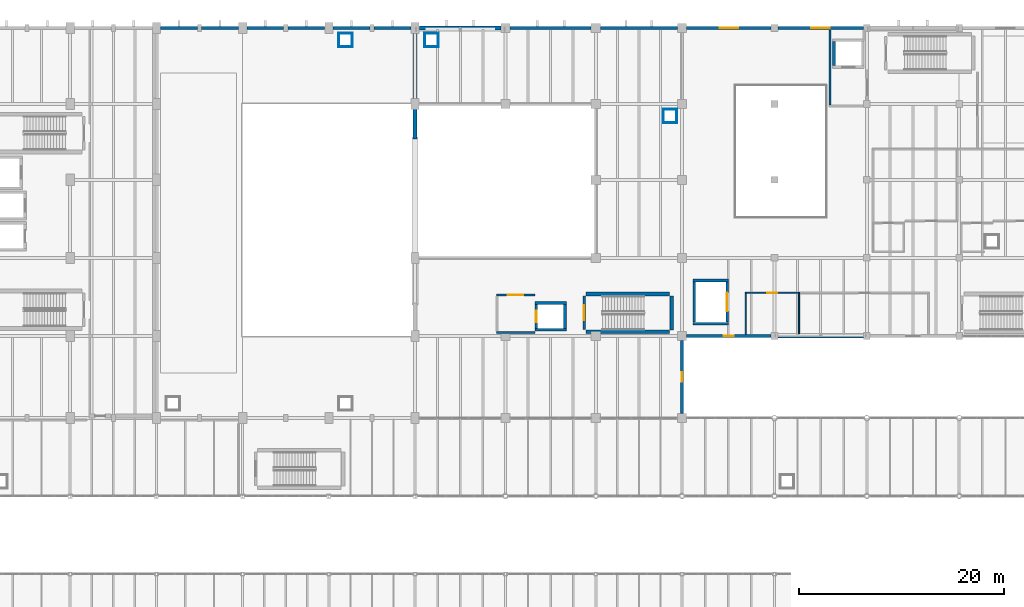
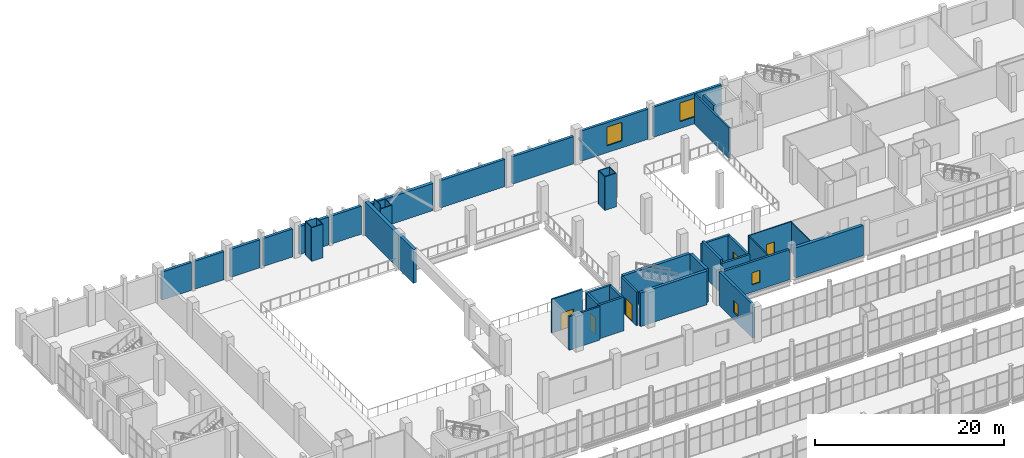
# One storey, part 155 of 172: 46 walls, 5 doors, 4 windows, 9 openings.
"""IFC4 building model written with IfcOpenShell, lengths in metres."""

from ifc_helpers import new_model, si_unit, direction, frame, frame_2d, origin, place, context, subcontext, project, spatial, rectangle, extrude, material, layer, layer_set, type_object, element, fill, save


model = new_model("IFC4")

# Units and contexts
model_context = context("Model", 3, precision=1e-05, world=origin(), true_north=direction((0.0, 1.0)))
body_context = subcontext(model_context, "Body", "Model", "MODEL_VIEW")
ifc_project = project(units=[si_unit("LENGTHUNIT", "METRE"), si_unit("AREAUNIT", "SQUARE_METRE"), si_unit("VOLUMEUNIT", "CUBIC_METRE"), si_unit("PLANEANGLEUNIT", "RADIAN"), si_unit("MASSUNIT", "GRAM", prefix="KILO")], contexts=[model_context])

# Site, building, storey
site_placement = place(None, origin())
site = spatial("IfcSite", under=ifc_project, at=site_placement, CompositionType="ELEMENT")
building_placement = place(site_placement, origin())
building = spatial("IfcBuilding", under=site, at=building_placement, Name="Shengluoqiao Park Theatre", CompositionType="ELEMENT")
storey_placement = place(building_placement, frame((0.0, 0.0, 5.39990234375)))
storey = spatial("IfcBuildingStorey", under=building, at=storey_placement, Name="L01", CompositionType="ELEMENT", Elevation=5.39990234375)

# Wall, opening, window
ifc_material_1 = material(Name="Concrete C40", Category="concrete")
ifc_layer_1 = layer(ifc_material_1, 0.27001953125, Name="Concrete C40")
ifc_layer_set_1 = layer_set([ifc_layer_1], Name="Concrete C40")
wall_type_1 = type_object("IfcWallType", Name="ENV-WL-CONC270", PredefinedType="STANDARD", material=ifc_layer_set_1)
wall_1_placement = place(storey_placement, frame((112.85400390625, 84.0, 0.0), z_axis=(0.0, 0.0, 1.0), x_axis=(1.0, 0.0, 0.0)))
wall_1 = element("IfcWall", 1, at=wall_1_placement, inside=storey, type_object=wall_type_1, Name="L01 Exterior Wall 0192", PredefinedType="STANDARD", context=body_context, shape_type="SweptSolid", body=[
    extrude(rectangle(XDim=8.217041015625, YDim=0.27001953125, at=frame_2d((4.1083984375, 0.0))), origin(), (0.0, 0.0, 1.0), 3.898193359375),
])
opening_1_placement = place(wall_1_placement, frame((3.633544921875, 0.0, 0.949951171875)))
opening_1 = element("IfcOpeningElement", 2, at=opening_1_placement, cuts=wall_1, Name="Opening W-08", PredefinedType="OPENING", context=body_context, shape_type="SweptSolid", body=[
    extrude(rectangle(XDim=0.949951171875, YDim=1.550048828125, at=frame_2d((0.47509765625, 0.77490234375))), frame((0.0, 0.14501953125, 0.0), z_axis=(0.0, -1.0, 0.0), x_axis=(1.0, 0.0, 0.0)), (0.0, 0.0, 1.0), 0.2900390625),
])
ifc_material_2 = material(Name="Insulated glass", Category="glass")
window_type_1 = type_object("IfcWindowType", Name="ENV-WIN-W08", PartitioningType="SINGLE_PANEL", PredefinedType="WINDOW", material=ifc_material_2)
window_1_placement = place(opening_1_placement, origin())
window_1 = element("IfcWindow", 3, at=window_1_placement, inside=storey, type_object=window_type_1, Name="L01 Acoustic Window 0039", OverallHeight=1.550048828125, OverallWidth=0.949951171875, PartitioningType="SINGLE_PANEL", PredefinedType="WINDOW", context=body_context, shape_type="SweptSolid", body=[
    extrude(rectangle(XDim=0.949951171875, YDim=1.550048828125, at=frame_2d((0.47509765625, 0.77490234375))), frame((0.0, 0.030029296875, 0.0), z_axis=(0.0, -1.0, 0.0), x_axis=(1.0, 0.0, 0.0)), (0.0, 0.0, 1.0), 0.06005859375),
])
fill(opening_1, window_1)

ifc_layer_2 = layer(ifc_material_1, 0.31005859375, Name="Concrete C40")
ifc_layer_set_2 = layer_set([ifc_layer_2], Name="Concrete C40")
wall_type_2 = type_object("IfcWallType", Name="ENV-WL-CONC310", PredefinedType="STANDARD", material=ifc_layer_set_2)
wall_2_placement = place(storey_placement, frame((112.85400390625, 114.0, 0.0), z_axis=(0.0, 0.0, 1.0), x_axis=(1.0, 0.0, 0.0)))
wall_2 = element("IfcWall", 4, at=wall_2_placement, inside=storey, type_object=wall_type_2, Name="L01 Exterior Wall 0186", PredefinedType="STANDARD", context=body_context, shape_type="SweptSolid", body=[
    extrude(rectangle(XDim=8.217041015625, YDim=0.31005859375, at=frame_2d((4.1083984375, 0.0))), origin(), (0.0, 0.0, 1.0), 3.898193359375),
])
opening_2_placement = place(wall_2_placement, frame((3.20849609375, 0.0, 0.89990234375)))
opening_2 = element("IfcOpeningElement", 5, at=opening_2_placement, cuts=wall_2, Name="Opening W-01", PredefinedType="OPENING", context=body_context, shape_type="SweptSolid", body=[
    extrude(rectangle(XDim=1.800048828125, YDim=2.39990234375, at=frame_2d((0.89990234375, 1.199951171875))), frame((0.0, 0.1650390625, 0.0), z_axis=(0.0, -1.0, 0.0), x_axis=(1.0, 0.0, 0.0)), (0.0, 0.0, 1.0), 0.330078125),
])
window_type_2 = type_object("IfcWindowType", Name="ENV-WIN-W01", PartitioningType="DOUBLE_PANEL_VERTICAL", PredefinedType="WINDOW", material=ifc_material_2)
window_2_placement = place(opening_2_placement, origin())
window_2 = element("IfcWindow", 6, at=window_2_placement, inside=storey, type_object=window_type_2, Name="L01 Acoustic Window 0034", OverallHeight=2.39990234375, OverallWidth=1.800048828125, PartitioningType="DOUBLE_PANEL_VERTICAL", PredefinedType="WINDOW", context=body_context, shape_type="SweptSolid", body=[
    extrude(rectangle(XDim=1.800048828125, YDim=2.39990234375, at=frame_2d((0.89990234375, 1.199951171875))), frame((0.0, 0.030029296875, 0.0), z_axis=(0.0, -1.0, 0.0), x_axis=(1.0, 0.0, 0.0)), (0.0, 0.0, 1.0), 0.06005859375),
])
fill(opening_2, window_2)

wall_3_placement = place(storey_placement, frame((121.72900390625, 114.0, 0.0), z_axis=(0.0, 0.0, 1.0), x_axis=(1.0, 0.0, 0.0)))
wall_3 = element("IfcWall", 7, at=wall_3_placement, inside=storey, type_object=wall_type_2, Name="L01 Exterior Wall 0187", PredefinedType="STANDARD", context=body_context, shape_type="SweptSolid", body=[
    extrude(rectangle(XDim=8.342041015625, YDim=0.31005859375, at=frame_2d((4.1708984375, 0.0))), origin(), (0.0, 0.0, 1.0), 3.898193359375),
])
opening_3_placement = place(wall_3_placement, frame((3.27099609375, 0.0, 0.89990234375)))
opening_3 = element("IfcOpeningElement", 8, at=opening_3_placement, cuts=wall_3, Name="Opening W-01", PredefinedType="OPENING", context=body_context, shape_type="SweptSolid", body=[
    extrude(rectangle(XDim=1.800048828125, YDim=2.39990234375, at=frame_2d((0.89990234375, 1.199951171875))), frame((0.0, 0.1650390625, 0.0), z_axis=(0.0, -1.0, 0.0), x_axis=(1.0, 0.0, 0.0)), (0.0, 0.0, 1.0), 0.330078125),
])
window_3_placement = place(opening_3_placement, origin())
window_3 = element("IfcWindow", 9, at=window_3_placement, inside=storey, type_object=window_type_2, Name="L01 Acoustic Window 0035", OverallHeight=2.39990234375, OverallWidth=1.800048828125, PartitioningType="DOUBLE_PANEL_VERTICAL", PredefinedType="WINDOW", context=body_context, shape_type="SweptSolid", body=[
    extrude(rectangle(XDim=1.800048828125, YDim=2.39990234375, at=frame_2d((0.89990234375, 1.199951171875))), frame((0.0, 0.030029296875, 0.0), z_axis=(0.0, -1.0, 0.0), x_axis=(1.0, 0.0, 0.0)), (0.0, 0.0, 1.0), 0.06005859375),
])
fill(opening_3, window_3)

wall_4_placement = place(storey_placement, frame((112.39990234375, 76.4541015625, 0.0), z_axis=(0.0, 0.0, 1.0), x_axis=(0.0, 1.0, 0.0)))
wall_4 = element("IfcWall", 10, at=wall_4_placement, inside=storey, type_object=wall_type_2, Name="L01 Exterior Wall 0296", PredefinedType="STANDARD", context=body_context, shape_type="SweptSolid", body=[
    extrude(rectangle(XDim=7.091796875, YDim=0.31005859375, at=frame_2d((3.5458984375, 0.0))), origin(), (0.0, 0.0, 1.0), 4.340087890625),
])
opening_4_placement = place(wall_4_placement, frame((3.071044921875, 0.0, 0.949951171875)))
opening_4 = element("IfcOpeningElement", 11, at=opening_4_placement, cuts=wall_4, Name="Opening W-08", PredefinedType="OPENING", context=body_context, shape_type="SweptSolid", body=[
    extrude(rectangle(XDim=0.949951171875, YDim=1.550048828125, at=frame_2d((0.47509765625, 0.77490234375))), frame((0.0, 0.1650390625, 0.0), z_axis=(0.0, -1.0, 0.0), x_axis=(1.0, 0.0, 0.0)), (0.0, 0.0, 1.0), 0.330078125),
])
window_4_placement = place(opening_4_placement, origin())
window_4 = element("IfcWindow", 12, at=window_4_placement, inside=storey, type_object=window_type_1, Name="L01 Acoustic Window 0128", OverallHeight=1.550048828125, OverallWidth=0.949951171875, PartitioningType="SINGLE_PANEL", PredefinedType="WINDOW", context=body_context, shape_type="SweptSolid", body=[
    extrude(rectangle(XDim=0.949951171875, YDim=1.550048828125, at=frame_2d((0.47509765625, 0.77490234375))), frame((0.0, 0.030029296875, 0.0), z_axis=(0.0, -1.0, 0.0), x_axis=(1.0, 0.0, 0.0)), (0.0, 0.0, 1.0), 0.06005859375),
])
fill(opening_4, window_4)

# Walls
ifc_material_3 = material(Name="Concrete C45", Category="concrete")
ifc_layer_3 = layer(ifc_material_3, 0.330078125, Name="Concrete C45")
ifc_layer_set_3 = layer_set([ifc_layer_3], Name="Concrete C45")
wall_type_3 = type_object("IfcWallType", Name="ENV-WL-CONC330", PredefinedType="STANDARD", material=ifc_layer_set_3)
for number, where, z_axis, x_axis, name in (
    (13, (61.60400390625, 114.0, 0.0), (0.0, 0.0, 1.0), (1.0, 0.0, 0.0), "L01 Exterior Wall 0018"),
    (14, (65.60400390625, 114.0, 0.0), (0.0, 0.0, 1.0), (1.0, 0.0, 0.0), "L01 Exterior Wall 0019"),
    (15, (70.00390625, 114.0, 0.0), (0.0, 0.0, 1.0), (1.0, 0.0, 0.0), "L01 Exterior Wall 0020"),
    (16, (74.00390625, 114.0, 0.0), (0.0, 0.0, 1.0), (1.0, 0.0, 0.0), "L01 Exterior Wall 0021"),
    (17, (78.404052734375, 114.0, 0.0), (0.0, 0.0, 1.0), (1.0, 0.0, 0.0), "L01 Exterior Wall 0022"),
    (18, (82.404052734375, 114.0, 0.0), (0.0, 0.0, 1.0), (1.0, 0.0, 0.0), "L01 Exterior Wall 0023"),
):
    element("IfcWall", number, at=place(storey_placement, frame(where, z_axis=z_axis, x_axis=x_axis)), inside=storey, type_object=wall_type_3, Name=name, PredefinedType="STANDARD", context=body_context, shape_type="SweptSolid", body=[
        extrude(rectangle(XDim=3.592041015625, YDim=0.330078125, at=frame_2d((1.7958984375, 0.0))), origin(), (0.0, 0.0, 1.0), 3.628173828125),
    ])
wall_5_placement = place(storey_placement, frame((95.654052734375, 114.0, 0.0), z_axis=(0.0, 0.0, 1.0), x_axis=(1.0, 0.0, 0.0)))
element("IfcWall", 19, at=wall_5_placement, inside=storey, type_object=wall_type_3, Name="L01 Exterior Wall 0060", PredefinedType="STANDARD", context=body_context, shape_type="SweptSolid", body=[
    extrude(rectangle(XDim=7.891845703125, YDim=0.330078125, at=frame_2d((3.94580078125, 0.0))), origin(), (0.0, 0.0, 1.0), 3.5380859375),
])
wall_6_placement = place(storey_placement, frame((104.4541015625, 114.0, 0.0), z_axis=(0.0, 0.0, 1.0), x_axis=(1.0, 0.0, 0.0)))
element("IfcWall", 20, at=wall_6_placement, inside=storey, type_object=wall_type_3, Name="L01 Exterior Wall 0061", PredefinedType="STANDARD", context=body_context, shape_type="SweptSolid", body=[
    extrude(rectangle(XDim=7.491943359375, YDim=0.330078125, at=frame_2d((3.74609375, 0.0))), origin(), (0.0, 0.0, 1.0), 3.5380859375),
])
ifc_layer_4 = layer(ifc_material_3, 0.3798828125, Name="Concrete C45")
ifc_layer_set_4 = layer_set([ifc_layer_4], Name="Concrete C45")
wall_type_4 = type_object("IfcWallType", Name="ENV-WL-CONC380", PredefinedType="STANDARD", material=ifc_layer_set_4)
wall_7_placement = place(storey_placement, frame((86.803955078125, 114.0, 0.0), z_axis=(0.0, 0.0, 1.0), x_axis=(1.0, 0.0, 0.0)))
element("IfcWall", 21, at=wall_7_placement, inside=storey, type_object=wall_type_4, Name="L01 Exterior Wall 0059", PredefinedType="STANDARD", context=body_context, shape_type="SweptSolid", body=[
    extrude(rectangle(XDim=7.942138671875, YDim=0.3798828125, at=frame_2d((3.97119140625, 0.0))), origin(), (0.0, 0.0, 1.0), 3.528076171875),
])
wall_8_placement = place(storey_placement, frame((121.72900390625, 84.0, 0.0), z_axis=(0.0, 0.0, 1.0), x_axis=(1.0, 0.0, 0.0)))
element("IfcWall", 22, at=wall_8_placement, inside=storey, type_object=wall_type_4, Name="L01 Exterior Wall 0193", PredefinedType="STANDARD", context=body_context, shape_type="SweptSolid", body=[
    extrude(rectangle(XDim=8.342041015625, YDim=0.3798828125, at=frame_2d((4.1708984375, 0.0))), origin(), (0.0, 0.0, 1.0), 3.898193359375),
])
ifc_material_4 = material(Name="Concrete blockwork B06", Category="masonry")
ifc_layer_5 = layer(ifc_material_4, 0.195068359375, Name="Concrete blockwork B06")
ifc_layer_set_5 = layer_set([ifc_layer_5], Name="Concrete blockwork B06")
wall_type_5 = type_object("IfcWallType", Name="INT-WL-FFL195", PredefinedType="PARTITIONING", material=ifc_layer_set_5)
wall_9_placement = place(storey_placement, frame((94.31005859375, 84.35009765625, 0.0), z_axis=(0.0, 0.0, 1.0), x_axis=(1.0, 0.0, 0.0)))
element("IfcWall", 23, at=wall_9_placement, inside=storey, type_object=wall_type_5, Name="L01 Firefighting Lift Lobby FF1 Fire Wall S", PredefinedType="PARTITIONING", context=body_context, shape_type="SweptSolid", body=[
    extrude(rectangle(XDim=3.780029296875, YDim=0.195068359375, at=frame_2d((1.89013671875, 0.0))), origin(), (0.0, 0.0, 1.0), 4.360107421875),
])

# Wall, opening, door
wall_10_placement = place(storey_placement, frame((94.31005859375, 88.0, 0.0), z_axis=(0.0, 0.0, 1.0), x_axis=(1.0, 0.0, 0.0)))
wall_10 = element("IfcWall", 24, at=wall_10_placement, inside=storey, type_object=wall_type_5, Name="L01 Firefighting Lift Lobby FF1 Fire Wall N", PredefinedType="PARTITIONING", context=body_context, shape_type="SweptSolid", body=[
    extrude(rectangle(XDim=3.75, YDim=0.195068359375, at=frame_2d((1.875, 0.0))), origin(), (0.0, 0.0, 1.0), 4.360107421875),
])
opening_5_placement = place(wall_10_placement, frame((1.125, 0.0, 0.0)))
opening_5 = element("IfcOpeningElement", 25, at=opening_5_placement, cuts=wall_10, Name="Opening FD-FFL-1-L01", PredefinedType="OPENING", context=body_context, shape_type="SweptSolid", body=[
    extrude(rectangle(XDim=1.5, YDim=2.199951171875, at=frame_2d((0.75, 1.10009765625))), frame((0.0, 0.107421875, 0.0), z_axis=(0.0, -1.0, 0.0), x_axis=(1.0, 0.0, 0.0)), (0.0, 0.0, 1.0), 0.215087890625),
])
ifc_material_5 = material(Name="Steel Q355", Category="steel")
door_type_1 = type_object("IfcDoorType", Name="INT-DR-FFL150", OperationType="DOUBLE_DOOR_SINGLE_SWING", PredefinedType="DOOR", material=ifc_material_5)
door_1_placement = place(opening_5_placement, origin())
door_1 = element("IfcDoor", 26, at=door_1_placement, inside=storey, type_object=door_type_1, Name="L01 Firefighting Lift Lobby FF1 Fire Door FD-FFL-1-L01", OperationType="DOUBLE_DOOR_SINGLE_SWING", OverallHeight=2.199951171875, OverallWidth=1.5, PredefinedType="DOOR", context=body_context, shape_type="SweptSolid", body=[
    extrude(rectangle(XDim=1.5, YDim=2.199951171875, at=frame_2d((0.75, 1.10009765625))), frame((0.0, 0.02490234375, 0.0), z_axis=(0.0, -1.0, 0.0), x_axis=(1.0, 0.0, 0.0)), (0.0, 0.0, 1.0), 0.050048828125),
])
fill(opening_5, door_1)

# Walls
wall_11_placement = place(storey_placement, frame((126.800048828125, 106.5048828125, 0.0), z_axis=(0.0, 0.0, 1.0), x_axis=(0.0, 1.0, 0.0)))
element("IfcWall", 27, at=wall_11_placement, inside=storey, type_object=wall_type_5, Name="L01 Firefighting Lift Lobby FF2 Fire Wall W", PredefinedType="PARTITIONING", context=body_context, shape_type="SweptSolid", body=[
    extrude(rectangle(XDim=7.275146484375, YDim=0.195068359375, at=frame_2d((3.6376953125, 0.0))), origin(), (0.0, 0.0, 1.0), 3.898193359375),
])
ifc_material_6 = material(Name="Gypsum shaftwall", Category="gypsum")
ifc_layer_6 = layer(ifc_material_6, 0.094970703125, Name="Gypsum shaftwall")
ifc_layer_set_6 = layer_set([ifc_layer_6], Name="Gypsum shaftwall")
wall_type_6 = type_object("IfcWallType", Name="INT-WL-RSR095", PredefinedType="PARTITIONING", material=ifc_layer_set_6)
for number, where, z_axis, x_axis, name in (
    (28, (78.905029296875, 112.14990234375, 0.0), (0.0, 0.0, 1.0), (1.0, 0.0, 0.0), "L01 Service Riser Shaftwall 061"),
    (29, (78.905029296875, 113.469970703125, 0.0), (0.0, 0.0, 1.0), (1.0, 0.0, 0.0), "L01 Service Riser Shaftwall 062"),
):
    element("IfcWall", number, at=place(storey_placement, frame(where, z_axis=z_axis, x_axis=x_axis)), inside=storey, type_object=wall_type_6, Name=name, PredefinedType="PARTITIONING", context=body_context, shape_type="SweptSolid", body=[
        extrude(rectangle(XDim=1.409912109375, YDim=0.094970703125, at=frame_2d((0.705078125, 0.0))), origin(), (0.0, 0.0, 1.0), 4.360107421875),
    ])
for number, where, z_axis, x_axis, name in (
    (30, (78.949951171875, 112.205078125, 0.0), (0.0, 0.0, 1.0), (0.0, 1.0, 0.0), "L01 Service Riser Shaftwall 063"),
    (31, (80.27001953125, 112.205078125, 0.0), (0.0, 0.0, 1.0), (0.0, 1.0, 0.0), "L01 Service Riser Shaftwall 064"),
):
    element("IfcWall", number, at=place(storey_placement, frame(where, z_axis=z_axis, x_axis=x_axis)), inside=storey, type_object=wall_type_6, Name=name, PredefinedType="PARTITIONING", context=body_context, shape_type="SweptSolid", body=[
        extrude(rectangle(XDim=1.2099609375, YDim=0.094970703125, at=frame_2d((0.60498046875, 0.0))), origin(), (0.0, 0.0, 1.0), 4.360107421875),
    ])
for number, where, z_axis, x_axis, name in (
    (32, (87.304931640625, 112.14990234375, 0.0), (0.0, 0.0, 1.0), (1.0, 0.0, 0.0), "L01 Service Riser Shaftwall 065"),
    (33, (87.304931640625, 113.469970703125, 0.0), (0.0, 0.0, 1.0), (1.0, 0.0, 0.0), "L01 Service Riser Shaftwall 066"),
):
    element("IfcWall", number, at=place(storey_placement, frame(where, z_axis=z_axis, x_axis=x_axis)), inside=storey, type_object=wall_type_6, Name=name, PredefinedType="PARTITIONING", context=body_context, shape_type="SweptSolid", body=[
        extrude(rectangle(XDim=1.41015625, YDim=0.094970703125, at=frame_2d((0.705078125, 0.0))), origin(), (0.0, 0.0, 1.0), 3.838134765625),
    ])
wall_12_placement = place(storey_placement, frame((87.35009765625, 112.205078125, 0.0), z_axis=(0.0, 0.0, 1.0), x_axis=(0.0, 1.0, 0.0)))
element("IfcWall", 34, at=wall_12_placement, inside=storey, type_object=wall_type_6, Name="L01 Service Riser Shaftwall 067", PredefinedType="PARTITIONING", context=body_context, shape_type="SweptSolid", body=[
    extrude(rectangle(XDim=1.2099609375, YDim=0.094970703125, at=frame_2d((0.60498046875, 0.0))), origin(), (0.0, 0.0, 1.0), 4.360107421875),
])
wall_13_placement = place(storey_placement, frame((88.669921875, 112.205078125, 0.0), z_axis=(0.0, 0.0, 1.0), x_axis=(0.0, 1.0, 0.0)))
element("IfcWall", 35, at=wall_13_placement, inside=storey, type_object=wall_type_6, Name="L01 Service Riser Shaftwall 068", PredefinedType="PARTITIONING", context=body_context, shape_type="SweptSolid", body=[
    extrude(rectangle(XDim=1.2099609375, YDim=0.094970703125, at=frame_2d((0.60498046875, 0.0))), origin(), (0.0, 0.0, 1.0), 3.838134765625),
])
for number, where, z_axis, x_axis, name in (
    (36, (110.5048828125, 104.75, 0.0), (0.0, 0.0, 1.0), (1.0, 0.0, 0.0), "L01 Service Riser Shaftwall 069"),
    (37, (110.5048828125, 106.070068359375, 0.0), (0.0, 0.0, 1.0), (1.0, 0.0, 0.0), "L01 Service Riser Shaftwall 070"),
):
    element("IfcWall", number, at=place(storey_placement, frame(where, z_axis=z_axis, x_axis=x_axis)), inside=storey, type_object=wall_type_6, Name=name, PredefinedType="PARTITIONING", context=body_context, shape_type="SweptSolid", body=[
        extrude(rectangle(XDim=1.41015625, YDim=0.094970703125, at=frame_2d((0.705078125, 0.0))), origin(), (0.0, 0.0, 1.0), 4.360107421875),
    ])
for number, where, z_axis, x_axis, name in (
    (38, (110.550048828125, 104.804931640625, 0.0), (0.0, 0.0, 1.0), (0.0, 1.0, 0.0), "L01 Service Riser Shaftwall 071"),
    (39, (111.8701171875, 104.804931640625, 0.0), (0.0, 0.0, 1.0), (0.0, 1.0, 0.0), "L01 Service Riser Shaftwall 072"),
):
    element("IfcWall", number, at=place(storey_placement, frame(where, z_axis=z_axis, x_axis=x_axis)), inside=storey, type_object=wall_type_6, Name=name, PredefinedType="PARTITIONING", context=body_context, shape_type="SweptSolid", body=[
        extrude(rectangle(XDim=1.2099609375, YDim=0.094970703125, at=frame_2d((0.60498046875, 0.0))), origin(), (0.0, 0.0, 1.0), 4.360107421875),
    ])
ifc_layer_7 = layer(ifc_material_1, 0.260009765625, Name="Concrete C40")
ifc_layer_set_7 = layer_set([ifc_layer_7], Name="Concrete C40")
wall_type_7 = type_object("IfcWallType", Name="INT-WL-SHF260", PredefinedType="STANDARD", material=ifc_layer_set_7)
for number, where, z_axis, x_axis, name in (
    (40, (98.070068359375, 84.60009765625, 0.0), (0.0, 0.0, 1.0), (1.0, 0.0, 0.0), "L01 FF1 Lift Shaft Wall South"),
    (41, (98.070068359375, 87.199951171875, 0.0), (0.0, 0.0, 1.0), (1.0, 0.0, 0.0), "L01 FF1 Lift Shaft Wall North"),
):
    element("IfcWall", number, at=place(storey_placement, frame(where, z_axis=z_axis, x_axis=x_axis)), inside=storey, type_object=wall_type_7, Name=name, PredefinedType="STANDARD", context=body_context, shape_type="SweptSolid", body=[
        extrude(rectangle(XDim=3.059814453125, YDim=0.260009765625, at=frame_2d((1.52978515625, 0.0))), origin(), (0.0, 0.0, 1.0), 4.360107421875),
    ])

# Wall, opening, door
wall_14_placement = place(storey_placement, frame((98.199951171875, 84.736083984375, 0.0), z_axis=(0.0, 0.0, 1.0), x_axis=(0.0, 1.0, 0.0)))
wall_14 = element("IfcWall", 42, at=wall_14_placement, inside=storey, type_object=wall_type_7, Name="L01 FF1 Lift Shaft Wall West", PredefinedType="STANDARD", context=body_context, shape_type="SweptSolid", body=[
    extrude(rectangle(XDim=2.327880859375, YDim=0.260009765625, at=frame_2d((1.1640625, 0.0))), origin(), (0.0, 0.0, 1.0), 4.360107421875),
])
opening_6_placement = place(wall_14_placement, frame((0.589111328125, 0.0, 0.0)))
opening_6 = element("IfcOpeningElement", 43, at=opening_6_placement, cuts=wall_14, Name="Opening LD-FF1-L01", PredefinedType="OPENING", context=body_context, shape_type="SweptSolid", body=[
    extrude(rectangle(XDim=1.14990234375, YDim=2.14990234375, at=frame_2d((0.574951171875, 1.074951171875))), frame((0.0, 0.139892578125, 0.0), z_axis=(0.0, -1.0, 0.0), x_axis=(1.0, 0.0, 0.0)), (0.0, 0.0, 1.0), 0.280029296875),
])
ifc_material_7 = material(Name="Stainless steel 304", Category="steel")
door_type_2 = type_object("IfcDoorType", Name="INT-DR-LD115", OperationType="SLIDING_TO_LEFT", PredefinedType="DOOR", material=ifc_material_7)
door_2_placement = place(opening_6_placement, origin())
door_2 = element("IfcDoor", 44, at=door_2_placement, inside=storey, type_object=door_type_2, Name="FF1 Lift Landing Door LD-FF1-L01", OperationType="SLIDING_TO_LEFT", OverallHeight=2.14990234375, OverallWidth=1.14990234375, PredefinedType="DOOR", context=body_context, shape_type="SweptSolid", body=[
    extrude(rectangle(XDim=1.14990234375, YDim=2.14990234375, at=frame_2d((0.574951171875, 1.074951171875))), frame((0.0, 0.02490234375, 0.0), z_axis=(0.0, -1.0, 0.0), x_axis=(1.0, 0.0, 0.0)), (0.0, 0.0, 1.0), 0.050048828125),
])
fill(opening_6, door_2)

# Walls
wall_15_placement = place(storey_placement, frame((101.0, 84.736083984375, 0.0), z_axis=(0.0, 0.0, 1.0), x_axis=(0.0, 1.0, 0.0)))
element("IfcWall", 45, at=wall_15_placement, inside=storey, type_object=wall_type_7, Name="L01 FF1 Lift Shaft Wall East", PredefinedType="STANDARD", context=body_context, shape_type="SweptSolid", body=[
    extrude(rectangle(XDim=2.327880859375, YDim=0.260009765625, at=frame_2d((1.1640625, 0.0))), origin(), (0.0, 0.0, 1.0), 4.360107421875),
])
wall_16_placement = place(storey_placement, frame((127.199951171875, 110.3359375, 0.0), z_axis=(0.0, 0.0, 1.0), x_axis=(0.0, 1.0, 0.0)))
element("IfcWall", 46, at=wall_16_placement, inside=storey, type_object=wall_type_7, Name="L01 FF2 Lift Shaft Wall West", PredefinedType="STANDARD", context=body_context, shape_type="SweptSolid", body=[
    extrude(rectangle(XDim=2.328125, YDim=0.260009765625, at=frame_2d((1.1640625, 0.0))), origin(), (0.0, 0.0, 1.0), 4.360107421875),
])
for number, where, z_axis, x_axis, name in (
    (47, (113.469970703125, 85.199951171875, 0.0), (0.0, 0.0, 1.0), (1.0, 0.0, 0.0), "L01 FL1 Lift Shaft Wall South"),
    (48, (113.469970703125, 89.39990234375, 0.0), (0.0, 0.0, 1.0), (1.0, 0.0, 0.0), "L01 FL1 Lift Shaft Wall North"),
):
    element("IfcWall", number, at=place(storey_placement, frame(where, z_axis=z_axis, x_axis=x_axis)), inside=storey, type_object=wall_type_7, Name=name, PredefinedType="STANDARD", context=body_context, shape_type="SweptSolid", body=[
        extrude(rectangle(XDim=3.4599609375, YDim=0.260009765625, at=frame_2d((1.72998046875, 0.0))), origin(), (0.0, 0.0, 1.0), 3.988037109375),
    ])
wall_17_placement = place(storey_placement, frame((113.60009765625, 85.3359375, 0.0), z_axis=(0.0, 0.0, 1.0), x_axis=(0.0, 1.0, 0.0)))
element("IfcWall", 49, at=wall_17_placement, inside=storey, type_object=wall_type_7, Name="L01 FL1 Lift Shaft Wall West", PredefinedType="STANDARD", context=body_context, shape_type="SweptSolid", body=[
    extrude(rectangle(XDim=3.927978515625, YDim=0.260009765625, at=frame_2d((1.9638671875, 0.0))), origin(), (0.0, 0.0, 1.0), 4.360107421875),
])

# Wall, opening, door
wall_18_placement = place(storey_placement, frame((116.800048828125, 85.3359375, 0.0), z_axis=(0.0, 0.0, 1.0), x_axis=(0.0, 1.0, 0.0)))
wall_18 = element("IfcWall", 50, at=wall_18_placement, inside=storey, type_object=wall_type_7, Name="L01 FL1 Lift Shaft Wall East", PredefinedType="STANDARD", context=body_context, shape_type="SweptSolid", body=[
    extrude(rectangle(XDim=3.927978515625, YDim=0.260009765625, at=frame_2d((1.9638671875, 0.0))), origin(), (0.0, 0.0, 1.0), 3.988037109375),
])
opening_7_placement = place(wall_18_placement, frame((1.053955078125, 0.0, 0.0)))
opening_7 = element("IfcOpeningElement", 51, at=opening_7_placement, cuts=wall_18, Name="Opening LD-FL1-L01", PredefinedType="OPENING", context=body_context, shape_type="SweptSolid", body=[
    extrude(rectangle(XDim=1.820068359375, YDim=2.5, at=frame_2d((0.91015625, 1.25))), frame((0.0, 0.139892578125, 0.0), z_axis=(0.0, -1.0, 0.0), x_axis=(1.0, 0.0, 0.0)), (0.0, 0.0, 1.0), 0.280029296875),
])
door_type_3 = type_object("IfcDoorType", Name="INT-DR-LD182", OperationType="SLIDING_TO_LEFT", PredefinedType="DOOR", material=ifc_material_7)
door_3_placement = place(opening_7_placement, origin())
door_3 = element("IfcDoor", 52, at=door_3_placement, inside=storey, type_object=door_type_3, Name="FL1 Lift Landing Door LD-FL1-L01", OperationType="SLIDING_TO_LEFT", OverallHeight=2.5, OverallWidth=1.820068359375, PredefinedType="DOOR", context=body_context, shape_type="SweptSolid", body=[
    extrude(rectangle(XDim=1.820068359375, YDim=2.5, at=frame_2d((0.91015625, 1.25))), frame((0.0, 0.02490234375, 0.0), z_axis=(0.0, -1.0, 0.0), x_axis=(1.0, 0.0, 0.0)), (0.0, 0.0, 1.0), 0.050048828125),
])
fill(opening_7, door_3)

ifc_layer_8 = layer(ifc_material_1, 0.239990234375, Name="Concrete C40")
ifc_layer_set_8 = layer_set([ifc_layer_8], Name="Concrete C40")
wall_type_8 = type_object("IfcWallType", Name="INT-WL-STW240", PredefinedType="STANDARD", material=ifc_layer_set_8)
wall_19_placement = place(storey_placement, frame((102.860107421875, 84.610107421875, 0.0), z_axis=(0.0, 0.0, 1.0), x_axis=(0.0, 1.0, 0.0)))
wall_19 = element("IfcWall", 53, at=wall_19_placement, inside=storey, type_object=wall_type_8, Name="L01 ST-05 Stairwell Fire Wall", PredefinedType="STANDARD", context=body_context, shape_type="SweptSolid", body=[
    extrude(rectangle(XDim=3.27978515625, YDim=0.239990234375, at=frame_2d((1.639892578125, 0.0))), origin(), (0.0, 0.0, 1.0), 4.360107421875),
])
opening_8_placement = place(wall_19_placement, frame((0.9150390625, 0.0, 0.0)))
opening_8 = element("IfcOpeningElement", 54, at=opening_8_placement, cuts=wall_19, Name="Opening SD-05-L01", PredefinedType="OPENING", context=body_context, shape_type="SweptSolid", body=[
    extrude(rectangle(XDim=1.449951171875, YDim=2.199951171875, at=frame_2d((0.72509765625, 1.10009765625))), frame((0.0, 0.1298828125, 0.0), z_axis=(0.0, -1.0, 0.0), x_axis=(1.0, 0.0, 0.0)), (0.0, 0.0, 1.0), 0.260009765625),
])
door_type_4 = type_object("IfcDoorType", Name="INT-DR-STW145", OperationType="DOUBLE_DOOR_SINGLE_SWING", PredefinedType="DOOR", material=ifc_material_5)
door_4_placement = place(opening_8_placement, origin())
door_4 = element("IfcDoor", 55, at=door_4_placement, inside=storey, type_object=door_type_4, Name="L01 ST-05 Escape Stair Door SD-05-L01", OperationType="DOUBLE_DOOR_SINGLE_SWING", OverallHeight=2.199951171875, OverallWidth=1.449951171875, PredefinedType="DOOR", context=body_context, shape_type="SweptSolid", body=[
    extrude(rectangle(XDim=1.449951171875, YDim=2.199951171875, at=frame_2d((0.72509765625, 1.10009765625))), frame((0.0, 0.02490234375, 0.0), z_axis=(0.0, -1.0, 0.0), x_axis=(1.0, 0.0, 0.0)), (0.0, 0.0, 1.0), 0.050048828125),
])
fill(opening_8, door_4)

ifc_material_8 = material(Name="Moisture-resistant board")
ifc_layer_9 = layer(ifc_material_8, 0.114990234375, Name="Moisture-resistant board")
ifc_layer_set_9 = layer_set([ifc_layer_9], Name="Moisture-resistant board")
wall_type_9 = type_object("IfcWallType", Name="INT-WL-WCP115", PredefinedType="PARTITIONING", material=ifc_layer_set_9)
wall_20_placement = place(storey_placement, frame((118.54248046875, 88.199951171875, 0.0), z_axis=(0.0, 0.0, 1.0), x_axis=(1.0, 0.0, 0.0)))
wall_20 = element("IfcWall", 56, at=wall_20_placement, inside=storey, type_object=wall_type_9, Name="First Floor Backstage Staff WC Partition N", PredefinedType="PARTITIONING", context=body_context, shape_type="SweptSolid", body=[
    extrude(rectangle(XDim=5.31494140625, YDim=0.114990234375, at=frame_2d((2.657470703125, 0.0))), origin(), (0.0, 0.0, 1.0), 3.988037109375),
])
opening_9_placement = place(wall_20_placement, frame((2.177490234375, 0.0, 0.0)))
opening_9 = element("IfcOpeningElement", 57, at=opening_9_placement, cuts=wall_20, Name="Opening D-L01-038", PredefinedType="OPENING", context=body_context, shape_type="SweptSolid", body=[
    extrude(rectangle(XDim=0.9599609375, YDim=2.080078125, at=frame_2d((0.47998046875, 1.0400390625))), frame((0.0, 0.0673828125, 0.0), z_axis=(0.0, -1.0, 0.0), x_axis=(1.0, 0.0, 0.0)), (0.0, 0.0, 1.0), 0.135009765625),
])
ifc_material_9 = material(Name="Moisture-resistant laminate")
door_type_5 = type_object("IfcDoorType", Name="INT-DR-ACC096", OperationType="NOTDEFINED", PredefinedType="DOOR", material=ifc_material_9)
door_5_placement = place(opening_9_placement, origin())
door_5 = element("IfcDoor", 58, at=door_5_placement, inside=storey, type_object=door_type_5, Name="First Floor Backstage Staff WC Door D-L01-038", OperationType="SINGLE_SWING_RIGHT", OverallHeight=2.080078125, OverallWidth=0.9599609375, PredefinedType="DOOR", context=body_context, shape_type="SweptSolid", body=[
    extrude(rectangle(XDim=0.9599609375, YDim=2.080078125, at=frame_2d((0.47998046875, 1.0400390625))), frame((0.0, 0.02490234375, 0.0), z_axis=(0.0, -1.0, 0.0), x_axis=(1.0, 0.0, 0.0)), (0.0, 0.0, 1.0), 0.050048828125),
])
fill(opening_9, door_5)

# Walls
wall_21_placement = place(storey_placement, frame((123.800048828125, 84.197998046875, 0.0), z_axis=(0.0, 0.0, 1.0), x_axis=(0.0, 1.0, 0.0)))
element("IfcWall", 59, at=wall_21_placement, inside=storey, type_object=wall_type_9, Name="First Floor Backstage Staff WC Partition E", PredefinedType="PARTITIONING", context=body_context, shape_type="SweptSolid", body=[
    extrude(rectangle(XDim=3.9384765625, YDim=0.114990234375, at=frame_2d((1.96923828125, 0.0))), origin(), (0.0, 0.0, 1.0), 3.898193359375),
])
wall_22_placement = place(storey_placement, frame((118.60009765625, 84.14306640625, 0.0), z_axis=(0.0, 0.0, 1.0), x_axis=(0.0, 1.0, 0.0)))
element("IfcWall", 60, at=wall_22_placement, inside=storey, type_object=wall_type_9, Name="First Floor Backstage Staff WC Partition W", PredefinedType="PARTITIONING", context=body_context, shape_type="SweptSolid", body=[
    extrude(rectangle(XDim=3.993408203125, YDim=0.114990234375, at=frame_2d((1.99658203125, 0.0))), origin(), (0.0, 0.0, 1.0), 3.898193359375),
])
ifc_material_10 = material(Name="Concrete C50", Category="concrete")
ifc_layer_10 = layer(ifc_material_10, 0.35009765625, Name="Concrete C50")
ifc_layer_set_10 = layer_set([ifc_layer_10], Name="Concrete C50")
wall_type_10 = type_object("IfcWallType", Name="STR-SW-CORE350", PredefinedType="SHEAR", material=ifc_layer_set_10)
wall_23_placement = place(storey_placement, frame((103.050048828125, 84.419921875, 0.0), z_axis=(0.0, 0.0, 1.0), x_axis=(1.0, 0.0, 0.0)))
element("IfcWall", 61, at=wall_23_placement, inside=storey, type_object=wall_type_10, Name="L01 ST-05 Core Left Shear Wall 0091", PredefinedType="SHEAR", context=body_context, shape_type="SweptSolid", body=[
    extrude(rectangle(XDim=8.14990234375, YDim=0.35009765625, at=frame_2d((4.074951171875, 0.0))), origin(), (0.0, 0.0, 1.0), 4.360107421875),
])
wall_24_placement = place(storey_placement, frame((111.3798828125, 84.60009765625, 0.0), z_axis=(0.0, 0.0, 1.0), x_axis=(0.0, 1.0, 0.0)))
element("IfcWall", 62, at=wall_24_placement, inside=storey, type_object=wall_type_10, Name="L01 ST-05 Core Far Shear Wall 0092", PredefinedType="SHEAR", context=body_context, shape_type="SweptSolid", body=[
    extrude(rectangle(XDim=3.2998046875, YDim=0.35009765625, at=frame_2d((1.64990234375, 0.0))), origin(), (0.0, 0.0, 1.0), 4.360107421875),
])
wall_25_placement = place(storey_placement, frame((111.199951171875, 88.080078125, 0.0), z_axis=(0.0, 0.0, 1.0), x_axis=(-1.0, 0.0, 0.0)))
element("IfcWall", 63, at=wall_25_placement, inside=storey, type_object=wall_type_10, Name="L01 ST-05 Core Right Shear Wall 0093", PredefinedType="SHEAR", context=body_context, shape_type="SweptSolid", body=[
    extrude(rectangle(XDim=8.14990234375, YDim=0.35009765625, at=frame_2d((4.074951171875, 0.0))), origin(), (0.0, 0.0, 1.0), 4.360107421875),
])
ifc_layer_11 = layer(ifc_material_10, 0.39990234375, Name="Concrete C50")
ifc_layer_set_11 = layer_set([ifc_layer_11], Name="Concrete C50")
wall_type_11 = type_object("IfcWallType", Name="STR-SW-PROSC400", PredefinedType="SHEAR", material=ifc_layer_set_11)
wall_26_placement = place(storey_placement, frame((86.39990234375, 103.199951171875, 0.0), z_axis=(0.0, 0.0, 1.0), x_axis=(0.0, 1.0, 0.0)))
element("IfcWall", 64, at=wall_26_placement, inside=storey, type_object=wall_type_11, Name="L01 Proscenium Fire Wall North Pier 0020", PredefinedType="SHEAR", context=body_context, shape_type="SweptSolid", body=[
    extrude(rectangle(XDim=10.300048828125, YDim=0.39990234375, at=frame_2d((5.14990234375, 0.0))), origin(), (0.0, 0.0, 1.0), 4.360107421875),
])

save(model, "model.ifc")
